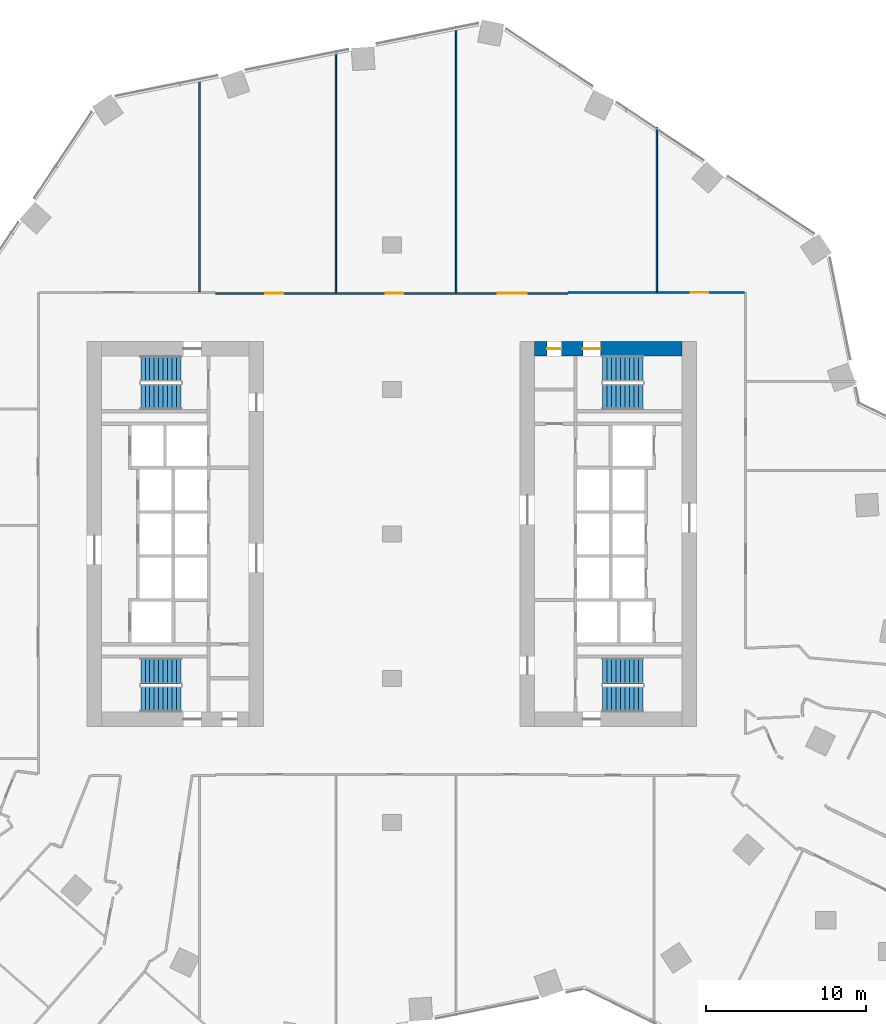
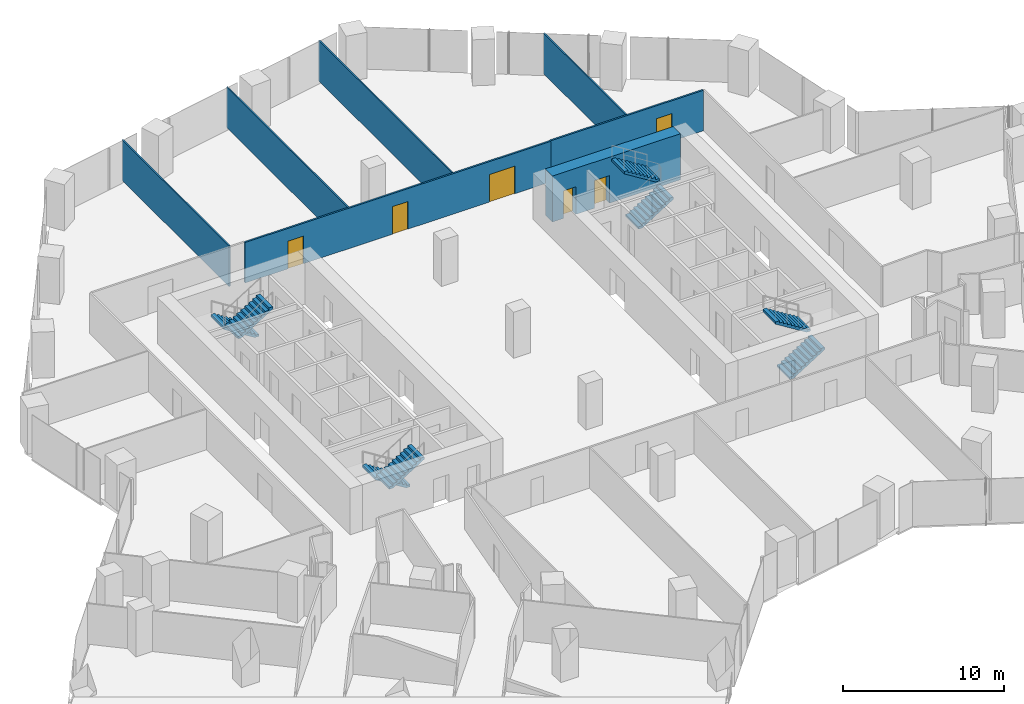
# One storey, part 32 of 38: 8 stair flights, 7 walls, 6 doors, 6 openings, 4 elements without a shape of their own.
"""IFC4 building model written with IfcOpenShell, lengths in metres."""

from ifc_helpers import new_model, si_unit, direction, frame, frame_2d, origin, place, context, subcontext, project, spatial, polyline, rectangle, outline, extrude, material, layer, layer_set, type_object, element, fill, aggregate, save


model = new_model("IFC4")

# Units and contexts
model_context = context("Model", 3, precision=1e-05, world=origin(), true_north=direction((0.0, 1.0)))
body_context = subcontext(model_context, "Body", "Model", "MODEL_VIEW")
ifc_project = project(units=[si_unit("LENGTHUNIT", "METRE"), si_unit("AREAUNIT", "SQUARE_METRE"), si_unit("VOLUMEUNIT", "CUBIC_METRE"), si_unit("PLANEANGLEUNIT", "RADIAN"), si_unit("MASSUNIT", "GRAM", prefix="KILO")], contexts=[model_context])

# Site, building, storey
site_placement = place(None, origin())
site = spatial("IfcSite", under=ifc_project, at=site_placement, CompositionType="ELEMENT")
building_placement = place(site_placement, origin())
building = spatial("IfcBuilding", under=site, at=building_placement, Name="Orlundy Tower", CompositionType="ELEMENT")
storey_placement = place(building_placement, frame((0.0, 0.0, 65.800048828125)))
storey = spatial("IfcBuildingStorey", under=building, at=storey_placement, Name="L15", CompositionType="ELEMENT", Elevation=65.800048828125)

# Wall, openings, doors
ifc_material_1 = material(Name="Concrete C80/95", Category="concrete")
ifc_layer_1 = layer(ifc_material_1, 0.89990234375)
ifc_layer_set_1 = layer_set([ifc_layer_1], Name="CORE WALL 900 C80/95")
wall_type_1 = type_object("IfcWallType", Name="CORE WALL 900 C80/95", PredefinedType="SHEAR", material=ifc_layer_set_1)
wall_1_placement = place(storey_placement, frame((8.89990234375, 11.550048828125, 0.0), z_axis=(0.0, 0.0, 1.0), x_axis=(1.0, 0.0, 0.0)))
wall_1 = element("IfcWall", 1, at=wall_1_placement, inside=storey, type_object=wall_type_1, Name="Core wall E-N L15", PredefinedType="SHEAR", context=body_context, shape_type="SweptSolid", body=[
    extrude(rectangle(XDim=9.2001953125, YDim=0.89990234375, at=frame_2d((4.60009765625, 0.0))), origin(), (0.0, 0.0, 1.0), 3.5),
])
opening_1_placement = place(wall_1_placement, frame((3.0, 0.0, 0.0)))
opening_1 = element("IfcOpeningElement", 2, at=opening_1_placement, cuts=wall_1, Name="Opening 13062", PredefinedType="OPENING", context=body_context, shape_type="SweptSolid", body=[
    extrude(rectangle(XDim=1.10009765625, YDim=2.10009765625, at=frame_2d((0.550048828125, 1.050048828125))), frame((0.0, 0.4599609375, 0.0), z_axis=(0.0, -1.0, 0.0), x_axis=(1.0, 0.0, 0.0)), (0.0, 0.0, 1.0), 0.919921875),
])
opening_2_placement = place(wall_1_placement, frame((0.77001953125, 0.0, 0.0)))
opening_2 = element("IfcOpeningElement", 3, at=opening_2_placement, cuts=wall_1, Name="Opening 13064", PredefinedType="OPENING", context=body_context, shape_type="SweptSolid", body=[
    extrude(rectangle(XDim=0.89990234375, YDim=2.10009765625, at=frame_2d((0.449951171875, 1.050048828125))), frame((0.0, 0.4599609375, 0.0), z_axis=(0.0, -1.0, 0.0), x_axis=(1.0, 0.0, 0.0)), (0.0, 0.0, 1.0), 0.919921875),
])
ifc_material_2 = material(Name="Timber door set", Category="wood")
door_type_1 = type_object("IfcDoorType", Name="Room Door 900x2100", OperationType="SINGLE_SWING_LEFT", PredefinedType="DOOR", material=ifc_material_2)
door_1_placement = place(opening_2_placement, origin())
door_1 = element("IfcDoor", 4, at=door_1_placement, inside=storey, type_object=door_type_1, Name="Store door 13064", OperationType="SINGLE_SWING_LEFT", OverallHeight=2.10009765625, OverallWidth=0.89990234375, PredefinedType="DOOR", context=body_context, shape_type="SweptSolid", body=[
    extrude(rectangle(XDim=0.89990234375, YDim=2.10009765625, at=frame_2d((0.449951171875, 1.050048828125))), frame((0.0, 0.02490234375, 0.0), z_axis=(0.0, -1.0, 0.0), x_axis=(1.0, 0.0, 0.0)), (0.0, 0.0, 1.0), 0.050048828125),
])
fill(opening_2, door_1)
ifc_material_3 = material(Name="Steel door set", Category="steel")
door_type_2 = type_object("IfcDoorType", Name="Stair Door 1100x2100", OperationType="SINGLE_SWING_LEFT", PredefinedType="DOOR", material=ifc_material_3)
door_2_placement = place(opening_1_placement, origin())
door_2 = element("IfcDoor", 5, at=door_2_placement, inside=storey, type_object=door_type_2, Name="Stair door 13062", OperationType="SINGLE_SWING_LEFT", OverallHeight=2.10009765625, OverallWidth=1.10009765625, PredefinedType="DOOR", context=body_context, shape_type="SweptSolid", body=[
    extrude(rectangle(XDim=1.10009765625, YDim=2.10009765625, at=frame_2d((0.550048828125, 1.050048828125))), frame((0.0, 0.02490234375, 0.0), z_axis=(0.0, -1.0, 0.0), x_axis=(1.0, 0.0, 0.0)), (0.0, 0.0, 1.0), 0.050048828125),
])
fill(opening_1, door_2)

# Walls
ifc_material_4 = material(Name="Gypsum board partition")
ifc_layer_2 = layer(ifc_material_4, 0.10009765625)
ifc_layer_set_2 = layer_set([ifc_layer_2], Name="Floor partition 100")
wall_type_2 = type_object("IfcWallType", Name="Floor partition 100", PredefinedType="PARTITIONING", material=ifc_layer_set_2)
wall_2_placement = place(storey_placement, frame((16.52099609375, 15.114013671875, 0.0), z_axis=(0.0, 0.0, 1.0), x_axis=(0.0, 1.0, 0.0)))
element("IfcWall", 6, at=wall_2_placement, inside=storey, type_object=wall_type_2, Name="wall-int-L15-088", PredefinedType="PARTITIONING", context=body_context, shape_type="SweptSolid", body=[
    extrude(rectangle(XDim=10.22802734375, YDim=0.10009765625, at=frame_2d((5.114013671875, 0.0))), origin(), (0.0, 0.0, 1.0), 3.079833984375),
])
wall_3_placement = place(storey_placement, frame((4.0, 15.06298828125, 0.0), z_axis=(0.0, 0.0, 1.0), x_axis=(0.0, 1.0, 0.0)))
element("IfcWall", 7, at=wall_3_placement, inside=storey, type_object=wall_type_2, Name="wall-int-L15-091", PredefinedType="PARTITIONING", context=body_context, shape_type="SweptSolid", body=[
    extrude(rectangle(XDim=16.590087890625, YDim=0.10009765625, at=frame_2d((8.294921875, 0.0))), origin(), (0.0, 0.0, 1.0), 3.079833984375),
])
wall_4_placement = place(storey_placement, frame((-3.4951171875, 15.06298828125, 0.0), z_axis=(0.0, 0.0, 1.0), x_axis=(0.0, 1.0, 0.0)))
element("IfcWall", 8, at=wall_4_placement, inside=storey, type_object=wall_type_2, Name="wall-int-L15-093", PredefinedType="PARTITIONING", context=body_context, shape_type="SweptSolid", body=[
    extrude(rectangle(XDim=15.087890625, YDim=0.10009765625, at=frame_2d((7.5439453125, 0.0))), origin(), (0.0, 0.0, 1.0), 3.079833984375),
])
wall_5_placement = place(storey_placement, frame((-12.0, 15.114013671875, 0.0), z_axis=(0.0, 0.0, 1.0), x_axis=(0.0, 1.0, 0.0)))
element("IfcWall", 9, at=wall_5_placement, inside=storey, type_object=wall_type_2, Name="wall-int-L15-095", PredefinedType="PARTITIONING", context=body_context, shape_type="SweptSolid", body=[
    extrude(rectangle(XDim=13.3330078125, YDim=0.10009765625, at=frame_2d((6.66650390625, 0.0))), origin(), (0.0, 0.0, 1.0), 3.079833984375),
])

# Wall, openings, doors
ifc_material_5 = material(Name="Gypsum board partition, double layer")
ifc_layer_3 = layer(ifc_material_5, 0.125)
ifc_layer_set_3 = layer_set([ifc_layer_3], Name="Floor partition 125")
wall_type_3 = type_object("IfcWallType", Name="Floor partition 125", PredefinedType="PARTITIONING", material=ifc_layer_set_3)
wall_6_placement = place(storey_placement, frame((-10.989990234375, 15.0009765625, 0.0), z_axis=(0.0, 0.0, 1.0), x_axis=(1.0, 0.0, 0.0)))
wall_6 = element("IfcWall", 10, at=wall_6_placement, inside=storey, type_object=wall_type_3, Name="wall-int-L15-050", PredefinedType="PARTITIONING", context=body_context, shape_type="SweptSolid", body=[
    extrude(rectangle(XDim=21.97998046875, YDim=0.125, at=frame_2d((10.989990234375, 0.0))), origin(), (0.0, 0.0, 1.0), 3.079833984375),
])
opening_3_placement = place(wall_6_placement, frame((17.590087890625, 0.0, 0.0)))
opening_3 = element("IfcOpeningElement", 11, at=opening_3_placement, cuts=wall_6, Name="Opening 13136", PredefinedType="OPENING", context=body_context, shape_type="SweptSolid", body=[
    extrude(rectangle(XDim=1.800048828125, YDim=2.10009765625, at=frame_2d((0.89990234375, 1.050048828125))), frame((0.0, 0.072509765625, 0.0), z_axis=(0.0, -1.0, 0.0), x_axis=(1.0, 0.0, 0.0)), (0.0, 0.0, 1.0), 0.14501953125),
])
opening_4_placement = place(wall_6_placement, frame((10.594970703125, 0.0, 0.0)))
opening_4 = element("IfcOpeningElement", 12, at=opening_4_placement, cuts=wall_6, Name="Opening 13137", PredefinedType="OPENING", context=body_context, shape_type="SweptSolid", body=[
    extrude(rectangle(XDim=1.10009765625, YDim=2.10009765625, at=frame_2d((0.550048828125, 1.050048828125))), frame((0.0, 0.072509765625, 0.0), z_axis=(0.0, -1.0, 0.0), x_axis=(1.0, 0.0, 0.0)), (0.0, 0.0, 1.0), 0.14501953125),
])
opening_5_placement = place(wall_6_placement, frame((3.10009765625, 0.0, 0.0)))
opening_5 = element("IfcOpeningElement", 13, at=opening_5_placement, cuts=wall_6, Name="Opening 13138", PredefinedType="OPENING", context=body_context, shape_type="SweptSolid", body=[
    extrude(rectangle(XDim=1.10009765625, YDim=2.10009765625, at=frame_2d((0.550048828125, 1.050048828125))), frame((0.0, 0.072509765625, 0.0), z_axis=(0.0, -1.0, 0.0), x_axis=(1.0, 0.0, 0.0)), (0.0, 0.0, 1.0), 0.14501953125),
])
ifc_material_6 = material(Name="Timber door leaf", Category="wood")
door_type_3 = type_object("IfcDoorType", Name="Floor door double 1800 FD30S", OperationType="NOTDEFINED", PredefinedType="DOOR", material=ifc_material_6)
door_3_placement = place(opening_3_placement, origin())
door_3 = element("IfcDoor", 14, at=door_3_placement, inside=storey, type_object=door_type_3, Name="Door 13136", OperationType="DOUBLE_DOOR_SINGLE_SWING", OverallHeight=2.10009765625, OverallWidth=1.800048828125, PredefinedType="DOOR", context=body_context, shape_type="SweptSolid", body=[
    extrude(rectangle(XDim=1.800048828125, YDim=2.10009765625, at=frame_2d((0.89990234375, 1.050048828125))), frame((0.0, 0.02490234375, 0.0), z_axis=(0.0, -1.0, 0.0), x_axis=(1.0, 0.0, 0.0)), (0.0, 0.0, 1.0), 0.050048828125),
])
fill(opening_3, door_3)
ifc_material_7 = material(Name="Timber door leaf", Category="wood")
door_type_4 = type_object("IfcDoorType", Name="Floor door xwide 1100 FD30S", OperationType="NOTDEFINED", PredefinedType="DOOR", material=ifc_material_7)
door_4_placement = place(opening_4_placement, origin())
door_4 = element("IfcDoor", 15, at=door_4_placement, inside=storey, type_object=door_type_4, Name="Door 13137", OperationType="SINGLE_SWING_RIGHT", OverallHeight=2.10009765625, OverallWidth=1.10009765625, PredefinedType="DOOR", context=body_context, shape_type="SweptSolid", body=[
    extrude(rectangle(XDim=1.10009765625, YDim=2.10009765625, at=frame_2d((0.550048828125, 1.050048828125))), frame((0.0, 0.02490234375, 0.0), z_axis=(0.0, -1.0, 0.0), x_axis=(1.0, 0.0, 0.0)), (0.0, 0.0, 1.0), 0.050048828125),
])
fill(opening_4, door_4)
door_5_placement = place(opening_5_placement, origin())
door_5 = element("IfcDoor", 16, at=door_5_placement, inside=storey, type_object=door_type_4, Name="Door 13138", OperationType="SINGLE_SWING_LEFT", OverallHeight=2.10009765625, OverallWidth=1.10009765625, PredefinedType="DOOR", context=body_context, shape_type="SweptSolid", body=[
    extrude(rectangle(XDim=1.10009765625, YDim=2.10009765625, at=frame_2d((0.550048828125, 1.050048828125))), frame((0.0, 0.02490234375, 0.0), z_axis=(0.0, -1.0, 0.0), x_axis=(1.0, 0.0, 0.0)), (0.0, 0.0, 1.0), 0.050048828125),
])
fill(opening_5, door_5)

# Wall, opening, door
wall_7_placement = place(storey_placement, frame((10.990966796875, 15.051025390625, 0.0), z_axis=(0.0, 0.0, 1.0), x_axis=(1.0, 0.0, 0.0)))
wall_7 = element("IfcWall", 17, at=wall_7_placement, inside=storey, type_object=wall_type_3, Name="wall-int-L15-052", PredefinedType="PARTITIONING", context=body_context, shape_type="SweptSolid", body=[
    extrude(rectangle(XDim=10.9970703125, YDim=0.125, at=frame_2d((5.49853515625, 0.0))), origin(), (0.0, 0.0, 1.0), 3.079833984375),
])
opening_6_placement = place(wall_7_placement, frame((7.6298828125, 0.0, 0.0)))
opening_6 = element("IfcOpeningElement", 18, at=opening_6_placement, cuts=wall_7, Name="Opening 13135", PredefinedType="OPENING", context=body_context, shape_type="SweptSolid", body=[
    extrude(rectangle(XDim=1.10009765625, YDim=2.10009765625, at=frame_2d((0.550048828125, 1.050048828125))), frame((0.0, 0.072509765625, 0.0), z_axis=(0.0, -1.0, 0.0), x_axis=(1.0, 0.0, 0.0)), (0.0, 0.0, 1.0), 0.14501953125),
])
door_6_placement = place(opening_6_placement, origin())
door_6 = element("IfcDoor", 19, at=door_6_placement, inside=storey, type_object=door_type_4, Name="Door 13135", OperationType="SINGLE_SWING_RIGHT", OverallHeight=2.10009765625, OverallWidth=1.10009765625, PredefinedType="DOOR", context=body_context, shape_type="SweptSolid", body=[
    extrude(rectangle(XDim=1.10009765625, YDim=2.10009765625, at=frame_2d((0.550048828125, 1.050048828125))), frame((0.0, 0.02490234375, 0.0), z_axis=(0.0, -1.0, 0.0), x_axis=(1.0, 0.0, 0.0)), (0.0, 0.0, 1.0), 0.050048828125),
])
fill(opening_6, door_6)

# Stair, stair flights
ifc_material_8 = material(Name="Concrete C50/60", Category="concrete")
stair_type = type_object("IfcStairType", Name="Exit Stair 20 risers", PredefinedType="HALF_TURN_STAIR", material=ifc_material_8)
stair_1_placement = place(storey_placement, origin())
stair_1 = element("IfcStair", 20, at=stair_1_placement, inside=storey, type_object=stair_type, Name="L15 Exit Stair ST-W1", PredefinedType="HALF_TURN_STAIR")
ifc_material_9 = material(Name="Concrete C50/60", Category="concrete")
stair_flight_type = type_object("IfcStairFlightType", Name="Stair Flight 10 risers", PredefinedType="STRAIGHT", material=ifc_material_9)
stair_flight_1_placement = place(storey_placement, frame((-13.139892578125, 10.300048828125, 0.0), z_axis=(0.0, 0.0, 1.0), x_axis=(-1.0, 0.0, 0.0)))
stair_flight_1 = element("IfcStairFlight", 21, at=stair_flight_1_placement, type_object=stair_flight_type, Name="ST-W1 flight 1", NumberOfRisers=10, NumberOfTreads=9, PredefinedType="STRAIGHT", RiserHeight=0.175, TreadLength=0.28, context=body_context, shape_type="SweptSolid", body=[
    extrude(outline(polyline([(0.0, 0.0), (0.0, 0.175048828125), (0.280029296875, 0.175048828125), (0.280029296875, 0.35009765625), (0.56005859375, 0.35009765625), (0.56005859375, 0.52490234375), (0.840087890625, 0.52490234375), (0.840087890625, 0.699951171875), (1.1201171875, 0.699951171875), (1.1201171875, 0.875), (1.39990234375, 0.875), (1.39990234375, 1.050048828125), (1.679931640625, 1.050048828125), (1.679931640625, 1.22509765625), (1.9599609375, 1.22509765625), (1.9599609375, 1.39990234375), (2.239990234375, 1.39990234375), (2.239990234375, 1.574951171875), (2.52001953125, 1.574951171875), (2.52001953125, 1.75), (2.52001953125, 1.398193359375), (0.28271484375, 0.0), (0.0, 0.0)])), frame((0.0, 0.800048828125, 0.0), z_axis=(0.0, -1.0, 0.0), x_axis=(1.0, 0.0, 0.0)), (0.0, 0.0, 1.0), 1.60009765625),
])
stair_flight_2_placement = place(storey_placement, frame((-15.659912109375, 8.550048828125, 1.75), z_axis=(0.0, 0.0, 1.0), x_axis=(1.0, 0.0, 0.0)))
stair_flight_2 = element("IfcStairFlight", 22, at=stair_flight_2_placement, type_object=stair_flight_type, Name="ST-W1 flight 2", NumberOfRisers=10, NumberOfTreads=9, PredefinedType="STRAIGHT", RiserHeight=0.175, TreadLength=0.28, context=body_context, shape_type="SweptSolid", body=[
    extrude(outline(polyline([(0.0, 0.0), (0.0, 0.175048828125), (0.280029296875, 0.175048828125), (0.280029296875, 0.35009765625), (0.56005859375, 0.35009765625), (0.56005859375, 0.52490234375), (0.840087890625, 0.52490234375), (0.840087890625, 0.699951171875), (1.1201171875, 0.699951171875), (1.1201171875, 0.875), (1.39990234375, 0.875), (1.39990234375, 1.050048828125), (1.679931640625, 1.050048828125), (1.679931640625, 1.22509765625), (1.9599609375, 1.22509765625), (1.9599609375, 1.39990234375), (2.239990234375, 1.39990234375), (2.239990234375, 1.574951171875), (2.52001953125, 1.574951171875), (2.52001953125, 1.75), (2.52001953125, 1.398193359375), (0.28271484375, 0.0), (0.0, 0.0)])), frame((0.0, 0.800048828125, 0.0), z_axis=(0.0, -1.0, 0.0), x_axis=(1.0, 0.0, 0.0)), (0.0, 0.0, 1.0), 1.60009765625),
])
aggregate(stair_1, [stair_flight_1, stair_flight_2])

stair_2_placement = place(storey_placement, origin())
stair_2 = element("IfcStair", 23, at=stair_2_placement, inside=storey, type_object=stair_type, Name="L15 Exit Stair ST-W2", PredefinedType="HALF_TURN_STAIR")
stair_flight_3_placement = place(storey_placement, frame((-13.139892578125, -8.550048828125, 0.0), z_axis=(0.0, 0.0, 1.0), x_axis=(-1.0, 0.0, 0.0)))
stair_flight_3 = element("IfcStairFlight", 24, at=stair_flight_3_placement, type_object=stair_flight_type, Name="ST-W2 flight 1", NumberOfRisers=10, NumberOfTreads=9, PredefinedType="STRAIGHT", RiserHeight=0.175, TreadLength=0.28, context=body_context, shape_type="SweptSolid", body=[
    extrude(outline(polyline([(0.0, 0.0), (0.0, 0.175048828125), (0.280029296875, 0.175048828125), (0.280029296875, 0.35009765625), (0.56005859375, 0.35009765625), (0.56005859375, 0.52490234375), (0.840087890625, 0.52490234375), (0.840087890625, 0.699951171875), (1.1201171875, 0.699951171875), (1.1201171875, 0.875), (1.39990234375, 0.875), (1.39990234375, 1.050048828125), (1.679931640625, 1.050048828125), (1.679931640625, 1.22509765625), (1.9599609375, 1.22509765625), (1.9599609375, 1.39990234375), (2.239990234375, 1.39990234375), (2.239990234375, 1.574951171875), (2.52001953125, 1.574951171875), (2.52001953125, 1.75), (2.52001953125, 1.398193359375), (0.28271484375, 0.0), (0.0, 0.0)])), frame((0.0, 0.800048828125, 0.0), z_axis=(0.0, -1.0, 0.0), x_axis=(1.0, 0.0, 0.0)), (0.0, 0.0, 1.0), 1.60009765625),
])
stair_flight_4_placement = place(storey_placement, frame((-15.659912109375, -10.300048828125, 1.75), z_axis=(0.0, 0.0, 1.0), x_axis=(1.0, 0.0, 0.0)))
stair_flight_4 = element("IfcStairFlight", 25, at=stair_flight_4_placement, type_object=stair_flight_type, Name="ST-W2 flight 2", NumberOfRisers=10, NumberOfTreads=9, PredefinedType="STRAIGHT", RiserHeight=0.175, TreadLength=0.28, context=body_context, shape_type="SweptSolid", body=[
    extrude(outline(polyline([(0.0, 0.0), (0.0, 0.175048828125), (0.280029296875, 0.175048828125), (0.280029296875, 0.35009765625), (0.56005859375, 0.35009765625), (0.56005859375, 0.52490234375), (0.840087890625, 0.52490234375), (0.840087890625, 0.699951171875), (1.1201171875, 0.699951171875), (1.1201171875, 0.875), (1.39990234375, 0.875), (1.39990234375, 1.050048828125), (1.679931640625, 1.050048828125), (1.679931640625, 1.22509765625), (1.9599609375, 1.22509765625), (1.9599609375, 1.39990234375), (2.239990234375, 1.39990234375), (2.239990234375, 1.574951171875), (2.52001953125, 1.574951171875), (2.52001953125, 1.75), (2.52001953125, 1.398193359375), (0.28271484375, 0.0), (0.0, 0.0)])), frame((0.0, 0.800048828125, 0.0), z_axis=(0.0, -1.0, 0.0), x_axis=(1.0, 0.0, 0.0)), (0.0, 0.0, 1.0), 1.60009765625),
])
aggregate(stair_2, [stair_flight_3, stair_flight_4])

stair_3_placement = place(storey_placement, origin())
stair_3 = element("IfcStair", 26, at=stair_3_placement, inside=storey, type_object=stair_type, Name="L15 Exit Stair ST-E1", PredefinedType="HALF_TURN_STAIR")
stair_flight_5_placement = place(storey_placement, frame((13.139892578125, -10.300048828125, 0.0), z_axis=(0.0, 0.0, 1.0), x_axis=(1.0, 0.0, 0.0)))
stair_flight_5 = element("IfcStairFlight", 27, at=stair_flight_5_placement, type_object=stair_flight_type, Name="ST-E1 flight 1", NumberOfRisers=10, NumberOfTreads=9, PredefinedType="STRAIGHT", RiserHeight=0.175, TreadLength=0.28, context=body_context, shape_type="SweptSolid", body=[
    extrude(outline(polyline([(0.0, 0.0), (0.0, 0.175048828125), (0.280029296875, 0.175048828125), (0.280029296875, 0.35009765625), (0.56005859375, 0.35009765625), (0.56005859375, 0.52490234375), (0.840087890625, 0.52490234375), (0.840087890625, 0.699951171875), (1.1201171875, 0.699951171875), (1.1201171875, 0.875), (1.39990234375, 0.875), (1.39990234375, 1.050048828125), (1.679931640625, 1.050048828125), (1.679931640625, 1.22509765625), (1.9599609375, 1.22509765625), (1.9599609375, 1.39990234375), (2.239990234375, 1.39990234375), (2.239990234375, 1.574951171875), (2.52001953125, 1.574951171875), (2.52001953125, 1.75), (2.52001953125, 1.398193359375), (0.28271484375, 0.0), (0.0, 0.0)])), frame((0.0, 0.800048828125, 0.0), z_axis=(0.0, -1.0, 0.0), x_axis=(1.0, 0.0, 0.0)), (0.0, 0.0, 1.0), 1.60009765625),
])
stair_flight_6_placement = place(storey_placement, frame((15.659912109375, -8.550048828125, 1.75), z_axis=(0.0, 0.0, 1.0), x_axis=(-1.0, 0.0, 0.0)))
stair_flight_6 = element("IfcStairFlight", 28, at=stair_flight_6_placement, type_object=stair_flight_type, Name="ST-E1 flight 2", NumberOfRisers=10, NumberOfTreads=9, PredefinedType="STRAIGHT", RiserHeight=0.175, TreadLength=0.28, context=body_context, shape_type="SweptSolid", body=[
    extrude(outline(polyline([(0.0, 0.0), (0.0, 0.175048828125), (0.280029296875, 0.175048828125), (0.280029296875, 0.35009765625), (0.56005859375, 0.35009765625), (0.56005859375, 0.52490234375), (0.840087890625, 0.52490234375), (0.840087890625, 0.699951171875), (1.1201171875, 0.699951171875), (1.1201171875, 0.875), (1.39990234375, 0.875), (1.39990234375, 1.050048828125), (1.679931640625, 1.050048828125), (1.679931640625, 1.22509765625), (1.9599609375, 1.22509765625), (1.9599609375, 1.39990234375), (2.239990234375, 1.39990234375), (2.239990234375, 1.574951171875), (2.52001953125, 1.574951171875), (2.52001953125, 1.75), (2.52001953125, 1.398193359375), (0.28271484375, 0.0), (0.0, 0.0)])), frame((0.0, 0.800048828125, 0.0), z_axis=(0.0, -1.0, 0.0), x_axis=(1.0, 0.0, 0.0)), (0.0, 0.0, 1.0), 1.60009765625),
])
aggregate(stair_3, [stair_flight_5, stair_flight_6])

stair_4_placement = place(storey_placement, origin())
stair_4 = element("IfcStair", 29, at=stair_4_placement, inside=storey, type_object=stair_type, Name="L15 Exit Stair ST-E2", PredefinedType="HALF_TURN_STAIR")
stair_flight_7_placement = place(storey_placement, frame((13.139892578125, 8.550048828125, 0.0), z_axis=(0.0, 0.0, 1.0), x_axis=(1.0, 0.0, 0.0)))
stair_flight_7 = element("IfcStairFlight", 30, at=stair_flight_7_placement, type_object=stair_flight_type, Name="ST-E2 flight 1", NumberOfRisers=10, NumberOfTreads=9, PredefinedType="STRAIGHT", RiserHeight=0.175, TreadLength=0.28, context=body_context, shape_type="SweptSolid", body=[
    extrude(outline(polyline([(0.0, 0.0), (0.0, 0.175048828125), (0.280029296875, 0.175048828125), (0.280029296875, 0.35009765625), (0.56005859375, 0.35009765625), (0.56005859375, 0.52490234375), (0.840087890625, 0.52490234375), (0.840087890625, 0.699951171875), (1.1201171875, 0.699951171875), (1.1201171875, 0.875), (1.39990234375, 0.875), (1.39990234375, 1.050048828125), (1.679931640625, 1.050048828125), (1.679931640625, 1.22509765625), (1.9599609375, 1.22509765625), (1.9599609375, 1.39990234375), (2.239990234375, 1.39990234375), (2.239990234375, 1.574951171875), (2.52001953125, 1.574951171875), (2.52001953125, 1.75), (2.52001953125, 1.398193359375), (0.28271484375, 0.0), (0.0, 0.0)])), frame((0.0, 0.800048828125, 0.0), z_axis=(0.0, -1.0, 0.0), x_axis=(1.0, 0.0, 0.0)), (0.0, 0.0, 1.0), 1.60009765625),
])
stair_flight_8_placement = place(storey_placement, frame((15.659912109375, 10.300048828125, 1.75), z_axis=(0.0, 0.0, 1.0), x_axis=(-1.0, 0.0, 0.0)))
stair_flight_8 = element("IfcStairFlight", 31, at=stair_flight_8_placement, type_object=stair_flight_type, Name="ST-E2 flight 2", NumberOfRisers=10, NumberOfTreads=9, PredefinedType="STRAIGHT", RiserHeight=0.175, TreadLength=0.28, context=body_context, shape_type="SweptSolid", body=[
    extrude(outline(polyline([(0.0, 0.0), (0.0, 0.175048828125), (0.280029296875, 0.175048828125), (0.280029296875, 0.35009765625), (0.56005859375, 0.35009765625), (0.56005859375, 0.52490234375), (0.840087890625, 0.52490234375), (0.840087890625, 0.699951171875), (1.1201171875, 0.699951171875), (1.1201171875, 0.875), (1.39990234375, 0.875), (1.39990234375, 1.050048828125), (1.679931640625, 1.050048828125), (1.679931640625, 1.22509765625), (1.9599609375, 1.22509765625), (1.9599609375, 1.39990234375), (2.239990234375, 1.39990234375), (2.239990234375, 1.574951171875), (2.52001953125, 1.574951171875), (2.52001953125, 1.75), (2.52001953125, 1.398193359375), (0.28271484375, 0.0), (0.0, 0.0)])), frame((0.0, 0.800048828125, 0.0), z_axis=(0.0, -1.0, 0.0), x_axis=(1.0, 0.0, 0.0)), (0.0, 0.0, 1.0), 1.60009765625),
])
aggregate(stair_4, [stair_flight_7, stair_flight_8])

save(model, "model.ifc")
